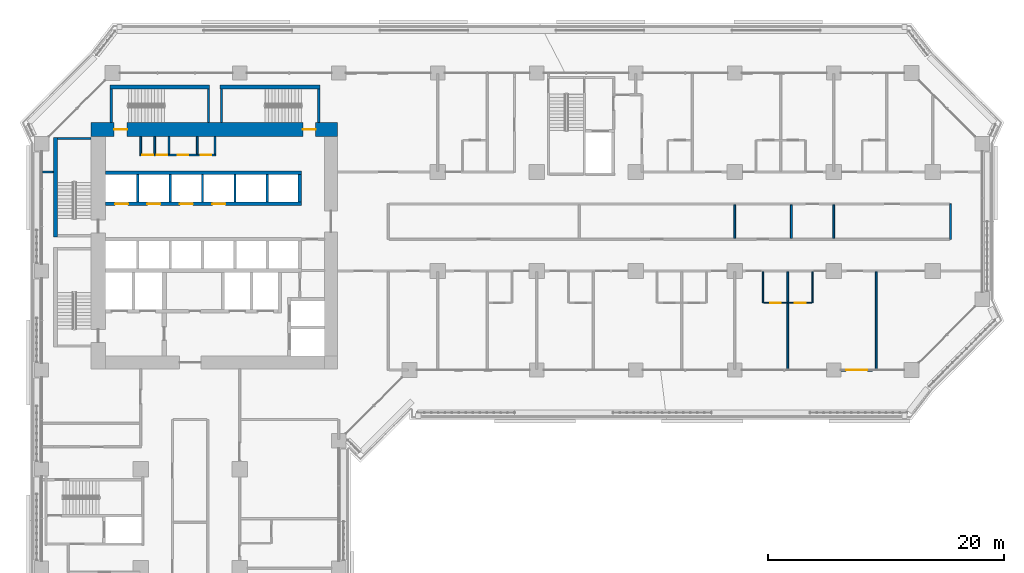
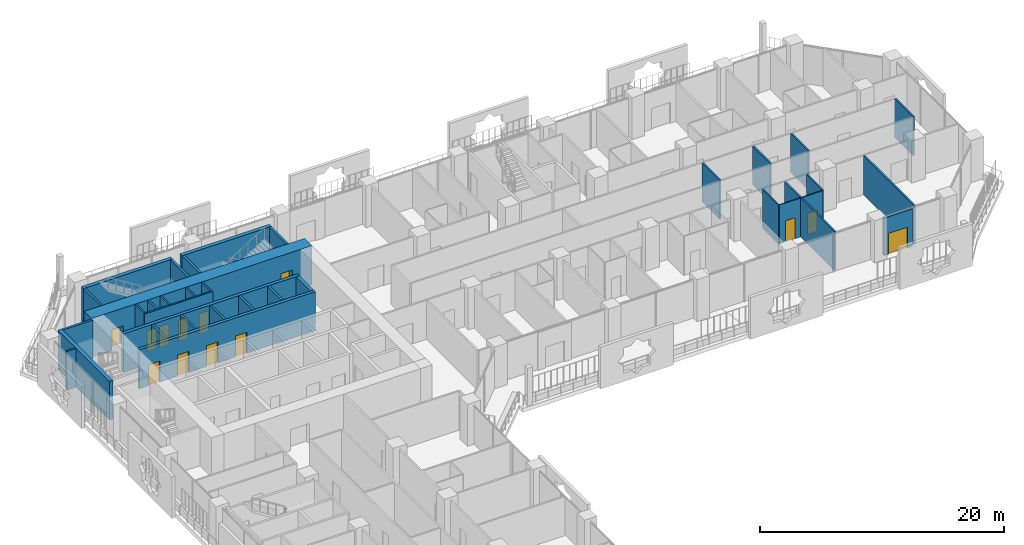
# One storey, part 17 of 28: 34 walls, 13 doors, 13 openings.
"""IFC4 building model written with IfcOpenShell, lengths in metres."""

from ifc_helpers import new_model, si_unit, direction, frame, frame_2d, origin, place, context, subcontext, project, spatial, rectangle, extrude, material, layer, layer_set, type_object, element, fill, save


model = new_model("IFC4")

# Units and contexts
model_context = context("Model", 3, precision=1e-05, world=origin(), true_north=direction((0.0, 1.0)))
body_context = subcontext(model_context, "Body", "Model", "MODEL_VIEW")
ifc_project = project(units=[si_unit("LENGTHUNIT", "METRE"), si_unit("AREAUNIT", "SQUARE_METRE"), si_unit("VOLUMEUNIT", "CUBIC_METRE"), si_unit("PLANEANGLEUNIT", "RADIAN"), si_unit("MASSUNIT", "GRAM", prefix="KILO")], contexts=[model_context])

# Site, building, storey
site_placement = place(None, origin())
site = spatial("IfcSite", under=ifc_project, at=site_placement, CompositionType="ELEMENT")
building_placement = place(site_placement, origin())
building = spatial("IfcBuilding", under=site, at=building_placement, Name="Kawkab Arch Medical Tower", CompositionType="ELEMENT")
storey_placement = place(building_placement, frame((0.0, 0.0, 56.0)))
storey = spatial("IfcBuildingStorey", under=building, at=storey_placement, Name="L12", CompositionType="ELEMENT", Elevation=56.0)

# Wall, openings, doors
ifc_material_1 = material(Name="Concrete C60/75", Category="concrete")
ifc_layer_1 = layer(ifc_material_1, 1.199951171875)
ifc_layer_set_1 = layer_set([ifc_layer_1], Name="Concrete C60/75")
wall_type_1 = type_object("IfcWallType", Name="Core ring wall 1200 C60/75", PredefinedType="SHEAR", material=ifc_layer_set_1)
wall_1_placement = place(storey_placement, frame((4.199951171875, -4.800048828125, 0.0), z_axis=(0.0, 0.0, 1.0), x_axis=(1.0, 0.0, 0.0)))
wall_1 = element("IfcWall", 1, at=wall_1_placement, inside=storey, type_object=wall_type_1, Name="L12 core wall", PredefinedType="SHEAR", context=body_context, shape_type="SweptSolid", body=[
    extrude(rectangle(XDim=20.900146484375, YDim=1.199951171875, at=frame_2d((10.4501953125, 0.0))), origin(), (0.0, 0.0, 1.0), 3.89990234375),
])
opening_1_placement = place(wall_1_placement, frame((1.949951171875, 0.0, 0.0)))
opening_1 = element("IfcOpeningElement", 2, at=opening_1_placement, cuts=wall_1, Name="Opening SD", PredefinedType="OPENING", context=body_context, shape_type="SweptSolid", body=[
    extrude(rectangle(XDim=1.10009765625, YDim=2.10009765625, at=frame_2d((0.550048828125, 1.050048828125))), frame((0.0, 0.60986328125, 0.0), z_axis=(0.0, -1.0, 0.0), x_axis=(1.0, 0.0, 0.0)), (0.0, 0.0, 1.0), 1.219970703125),
])
opening_2_placement = place(wall_1_placement, frame((17.949951171875, 0.0, 0.0)))
opening_2 = element("IfcOpeningElement", 3, at=opening_2_placement, cuts=wall_1, Name="Opening SD", PredefinedType="OPENING", context=body_context, shape_type="SweptSolid", body=[
    extrude(rectangle(XDim=1.10009765625, YDim=2.10009765625, at=frame_2d((0.550048828125, 1.050048828125))), frame((0.0, 0.60986328125, 0.0), z_axis=(0.0, -1.0, 0.0), x_axis=(1.0, 0.0, 0.0)), (0.0, 0.0, 1.0), 1.219970703125),
])
ifc_material_2 = material(Name="Hollow metal fire door leaf")
door_type_1 = type_object("IfcDoorType", Name="Exit stair door 1100", OperationType="SINGLE_SWING_LEFT", PredefinedType="DOOR", material=ifc_material_2)
door_1_placement = place(opening_1_placement, origin())
door_1 = element("IfcDoor", 4, at=door_1_placement, inside=storey, type_object=door_type_1, Name="L12 Exit stair ST3 door", OperationType="SINGLE_SWING_LEFT", OverallHeight=2.10009765625, OverallWidth=1.10009765625, PredefinedType="DOOR", context=body_context, shape_type="SweptSolid", body=[
    extrude(rectangle(XDim=1.10009765625, YDim=2.10009765625, at=frame_2d((0.550048828125, 1.050048828125))), frame((0.0, 0.02490234375, 0.0), z_axis=(0.0, -1.0, 0.0), x_axis=(1.0, 0.0, 0.0)), (0.0, 0.0, 1.0), 0.050048828125),
])
fill(opening_1, door_1)
door_2_placement = place(opening_2_placement, origin())
door_2 = element("IfcDoor", 5, at=door_2_placement, inside=storey, type_object=door_type_1, Name="L12 Exit stair ST4 door", OperationType="SINGLE_SWING_LEFT", OverallHeight=2.10009765625, OverallWidth=1.10009765625, PredefinedType="DOOR", context=body_context, shape_type="SweptSolid", body=[
    extrude(rectangle(XDim=1.10009765625, YDim=2.10009765625, at=frame_2d((0.550048828125, 1.050048828125))), frame((0.0, 0.02490234375, 0.0), z_axis=(0.0, -1.0, 0.0), x_axis=(1.0, 0.0, 0.0)), (0.0, 0.0, 1.0), 0.050048828125),
])
fill(opening_2, door_2)

ifc_material_3 = material(Name="Gypsum board on steel studs", Category="steel")
ifc_layer_2 = layer(ifc_material_3, 0.14990234375)
ifc_layer_set_2 = layer_set([ifc_layer_2], Name="Gypsum board on steel studs")
wall_type_2 = type_object("IfcWallType", Name="Core room partition 150", PredefinedType="PARTITIONING", material=ifc_layer_set_2)
wall_2_placement = place(storey_placement, frame((8.324951171875, -6.949951171875, 0.0), z_axis=(0.0, 0.0, 1.0), x_axis=(1.0, 0.0, 0.0)))
wall_2 = element("IfcWall", 6, at=wall_2_placement, inside=storey, type_object=wall_type_2, Name="L12 core room partition", PredefinedType="PARTITIONING", context=body_context, shape_type="SweptSolid", body=[
    extrude(rectangle(XDim=6.449951171875, YDim=0.14990234375, at=frame_2d((3.22509765625, 0.0))), origin(), (0.0, 0.0, 1.0), 3.89990234375),
])
opening_3_placement = place(wall_2_placement, frame((0.22509765625, 0.0, 0.0)))
opening_3 = element("IfcOpeningElement", 7, at=opening_3_placement, cuts=wall_2, Name="Opening RD", PredefinedType="OPENING", context=body_context, shape_type="SweptSolid", body=[
    extrude(rectangle(XDim=0.89990234375, YDim=2.10009765625, at=frame_2d((0.449951171875, 1.050048828125))), frame((0.0, 0.0849609375, 0.0), z_axis=(0.0, -1.0, 0.0), x_axis=(1.0, 0.0, 0.0)), (0.0, 0.0, 1.0), 0.169921875),
])
opening_4_placement = place(wall_2_placement, frame((1.425048828125, 0.0, 0.0)))
opening_4 = element("IfcOpeningElement", 8, at=opening_4_placement, cuts=wall_2, Name="Opening RD", PredefinedType="OPENING", context=body_context, shape_type="SweptSolid", body=[
    extrude(rectangle(XDim=0.89990234375, YDim=2.10009765625, at=frame_2d((0.449951171875, 1.050048828125))), frame((0.0, 0.0849609375, 0.0), z_axis=(0.0, -1.0, 0.0), x_axis=(1.0, 0.0, 0.0)), (0.0, 0.0, 1.0), 0.169921875),
])
opening_5_placement = place(wall_2_placement, frame((3.22509765625, 0.0, 0.0)))
opening_5 = element("IfcOpeningElement", 9, at=opening_5_placement, cuts=wall_2, Name="Opening RD", PredefinedType="OPENING", context=body_context, shape_type="SweptSolid", body=[
    extrude(rectangle(XDim=0.89990234375, YDim=2.10009765625, at=frame_2d((0.449951171875, 1.050048828125))), frame((0.0, 0.0849609375, 0.0), z_axis=(0.0, -1.0, 0.0), x_axis=(1.0, 0.0, 0.0)), (0.0, 0.0, 1.0), 0.169921875),
])
opening_6_placement = place(wall_2_placement, frame((5.175048828125, 0.0, 0.0)))
opening_6 = element("IfcOpeningElement", 10, at=opening_6_placement, cuts=wall_2, Name="Opening RD", PredefinedType="OPENING", context=body_context, shape_type="SweptSolid", body=[
    extrude(rectangle(XDim=0.89990234375, YDim=2.10009765625, at=frame_2d((0.449951171875, 1.050048828125))), frame((0.0, 0.0849609375, 0.0), z_axis=(0.0, -1.0, 0.0), x_axis=(1.0, 0.0, 0.0)), (0.0, 0.0, 1.0), 0.169921875),
])
ifc_material_4 = material(Name="Hollow metal fire door leaf")
door_type_2 = type_object("IfcDoorType", Name="Core room door 900", OperationType="SINGLE_SWING_LEFT", PredefinedType="DOOR", material=ifc_material_4)
door_3_placement = place(opening_3_placement, origin())
door_3 = element("IfcDoor", 11, at=door_3_placement, inside=storey, type_object=door_type_2, Name="L12 Electrical riser room door", OperationType="SINGLE_SWING_LEFT", OverallHeight=2.10009765625, OverallWidth=0.89990234375, PredefinedType="DOOR", context=body_context, shape_type="SweptSolid", body=[
    extrude(rectangle(XDim=0.89990234375, YDim=2.10009765625, at=frame_2d((0.449951171875, 1.050048828125))), frame((0.0, 0.02490234375, 0.0), z_axis=(0.0, -1.0, 0.0), x_axis=(1.0, 0.0, 0.0)), (0.0, 0.0, 1.0), 0.050048828125),
])
fill(opening_3, door_3)
door_4_placement = place(opening_4_placement, origin())
door_4 = element("IfcDoor", 12, at=door_4_placement, inside=storey, type_object=door_type_2, Name="L12 Medication store door", OperationType="SINGLE_SWING_LEFT", OverallHeight=2.10009765625, OverallWidth=0.89990234375, PredefinedType="DOOR", context=body_context, shape_type="SweptSolid", body=[
    extrude(rectangle(XDim=0.89990234375, YDim=2.10009765625, at=frame_2d((0.449951171875, 1.050048828125))), frame((0.0, 0.02490234375, 0.0), z_axis=(0.0, -1.0, 0.0), x_axis=(1.0, 0.0, 0.0)), (0.0, 0.0, 1.0), 0.050048828125),
])
fill(opening_4, door_4)
door_5_placement = place(opening_5_placement, origin())
door_5 = element("IfcDoor", 13, at=door_5_placement, inside=storey, type_object=door_type_2, Name="L12 Clean utility room door", OperationType="SINGLE_SWING_LEFT", OverallHeight=2.10009765625, OverallWidth=0.89990234375, PredefinedType="DOOR", context=body_context, shape_type="SweptSolid", body=[
    extrude(rectangle(XDim=0.89990234375, YDim=2.10009765625, at=frame_2d((0.449951171875, 1.050048828125))), frame((0.0, 0.02490234375, 0.0), z_axis=(0.0, -1.0, 0.0), x_axis=(1.0, 0.0, 0.0)), (0.0, 0.0, 1.0), 0.050048828125),
])
fill(opening_5, door_5)
door_6_placement = place(opening_6_placement, origin())
door_6 = element("IfcDoor", 14, at=door_6_placement, inside=storey, type_object=door_type_2, Name="L12 Dirty utility room door", OperationType="SINGLE_SWING_LEFT", OverallHeight=2.10009765625, OverallWidth=0.89990234375, PredefinedType="DOOR", context=body_context, shape_type="SweptSolid", body=[
    extrude(rectangle(XDim=0.89990234375, YDim=2.10009765625, at=frame_2d((0.449951171875, 1.050048828125))), frame((0.0, 0.02490234375, 0.0), z_axis=(0.0, -1.0, 0.0), x_axis=(1.0, 0.0, 0.0)), (0.0, 0.0, 1.0), 0.050048828125),
])
fill(opening_6, door_6)

# Walls
for number, where, z_axis, x_axis, name in (
    (15, (8.39990234375, -6.875, 0.0), (0.0, 0.0, 1.0), (0.0, 1.0, 0.0), "L12 core room partition"),
    (16, (9.60009765625, -6.875, 0.0), (0.0, 0.0, 1.0), (0.0, 1.0, 0.0), "L12 core room partition"),
    (17, (10.800048828125, -6.875, 0.0), (0.0, 0.0, 1.0), (0.0, 1.0, 0.0), "L12 core room partition"),
    (18, (13.199951171875, -6.875, 0.0), (0.0, 0.0, 1.0), (0.0, 1.0, 0.0), "L12 core room partition"),
    (19, (14.699951171875, -6.875, 0.0), (0.0, 0.0, 1.0), (0.0, 1.0, 0.0), "L12 core room partition"),
):
    element("IfcWall", number, at=place(storey_placement, frame(where, z_axis=z_axis, x_axis=x_axis)), inside=storey, type_object=wall_type_2, Name=name, PredefinedType="PARTITIONING", context=body_context, shape_type="SweptSolid", body=[
        extrude(rectangle(XDim=1.47509765625, YDim=0.14990234375, at=frame_2d((0.737548828125, 0.0))), origin(), (0.0, 0.0, 1.0), 3.89990234375),
    ])
ifc_material_5 = material(Name="Concrete C60/75", Category="concrete")
ifc_layer_3 = layer(ifc_material_5, 0.300048828125)
ifc_layer_set_3 = layer_set([ifc_layer_3], Name="Concrete C60/75")
wall_type_3 = type_object("IfcWallType", Name="Core shear wall 300 C60/75", PredefinedType="SHEAR", material=ifc_layer_set_3)
wall_3_placement = place(storey_placement, frame((5.39990234375, -8.449951171875, 0.0), z_axis=(0.0, 0.0, 1.0), x_axis=(1.0, 0.0, 0.0)))
element("IfcWall", 20, at=wall_3_placement, inside=storey, type_object=wall_type_3, Name="L12 core shear wall", PredefinedType="SHEAR", context=body_context, shape_type="SweptSolid", body=[
    extrude(rectangle(XDim=16.650146484375, YDim=0.300048828125, at=frame_2d((8.3251953125, 0.0))), origin(), (0.0, 0.0, 1.0), 3.89990234375),
])

# Wall, openings, doors
wall_4_placement = place(storey_placement, frame((5.39990234375, -11.10009765625, 0.0), z_axis=(0.0, 0.0, 1.0), x_axis=(1.0, 0.0, 0.0)))
wall_4 = element("IfcWall", 21, at=wall_4_placement, inside=storey, type_object=wall_type_3, Name="L12 core shear wall", PredefinedType="SHEAR", context=body_context, shape_type="SweptSolid", body=[
    extrude(rectangle(XDim=16.650146484375, YDim=0.300048828125, at=frame_2d((8.3251953125, 0.0))), origin(), (0.0, 0.0, 1.0), 3.89990234375),
])
opening_7_placement = place(wall_4_placement, frame((0.824951171875, 0.0, 0.0)))
opening_7 = element("IfcOpeningElement", 22, at=opening_7_placement, cuts=wall_4, Name="Opening LD1", PredefinedType="OPENING", context=body_context, shape_type="SweptSolid", body=[
    extrude(rectangle(XDim=1.10009765625, YDim=2.10009765625, at=frame_2d((0.550048828125, 1.050048828125))), frame((0.0, 0.159912109375, 0.0), z_axis=(0.0, -1.0, 0.0), x_axis=(1.0, 0.0, 0.0)), (0.0, 0.0, 1.0), 0.320068359375),
])
opening_8_placement = place(wall_4_placement, frame((3.574951171875, 0.0, 0.0)))
opening_8 = element("IfcOpeningElement", 23, at=opening_8_placement, cuts=wall_4, Name="Opening LD1", PredefinedType="OPENING", context=body_context, shape_type="SweptSolid", body=[
    extrude(rectangle(XDim=1.10009765625, YDim=2.10009765625, at=frame_2d((0.550048828125, 1.050048828125))), frame((0.0, 0.159912109375, 0.0), z_axis=(0.0, -1.0, 0.0), x_axis=(1.0, 0.0, 0.0)), (0.0, 0.0, 1.0), 0.320068359375),
])
opening_9_placement = place(wall_4_placement, frame((6.324951171875, 0.0, 0.0)))
opening_9 = element("IfcOpeningElement", 24, at=opening_9_placement, cuts=wall_4, Name="Opening LD1", PredefinedType="OPENING", context=body_context, shape_type="SweptSolid", body=[
    extrude(rectangle(XDim=1.10009765625, YDim=2.10009765625, at=frame_2d((0.550048828125, 1.050048828125))), frame((0.0, 0.159912109375, 0.0), z_axis=(0.0, -1.0, 0.0), x_axis=(1.0, 0.0, 0.0)), (0.0, 0.0, 1.0), 0.320068359375),
])
opening_10_placement = place(wall_4_placement, frame((9.074951171875, 0.0, 0.0)))
opening_10 = element("IfcOpeningElement", 25, at=opening_10_placement, cuts=wall_4, Name="Opening LD1", PredefinedType="OPENING", context=body_context, shape_type="SweptSolid", body=[
    extrude(rectangle(XDim=1.10009765625, YDim=2.10009765625, at=frame_2d((0.550048828125, 1.050048828125))), frame((0.0, 0.159912109375, 0.0), z_axis=(0.0, -1.0, 0.0), x_axis=(1.0, 0.0, 0.0)), (0.0, 0.0, 1.0), 0.320068359375),
])
ifc_material_6 = material(Name="Stainless steel lift door leaf", Category="steel")
door_type_3 = type_object("IfcDoorType", Name="Lift landing door 1100", OperationType="DOUBLE_DOOR_SLIDING", PredefinedType="DOOR", material=ifc_material_6)
door_7_placement = place(opening_7_placement, origin())
door_7 = element("IfcDoor", 26, at=door_7_placement, inside=storey, type_object=door_type_3, Name="L12 Lift landing door LP1", OperationType="DOUBLE_DOOR_SLIDING", OverallHeight=2.10009765625, OverallWidth=1.10009765625, PredefinedType="DOOR", context=body_context, shape_type="SweptSolid", body=[
    extrude(rectangle(XDim=1.10009765625, YDim=2.10009765625, at=frame_2d((0.550048828125, 1.050048828125))), frame((0.0, 0.02490234375, 0.0), z_axis=(0.0, -1.0, 0.0), x_axis=(1.0, 0.0, 0.0)), (0.0, 0.0, 1.0), 0.050048828125),
])
fill(opening_7, door_7)
door_8_placement = place(opening_8_placement, origin())
door_8 = element("IfcDoor", 27, at=door_8_placement, inside=storey, type_object=door_type_3, Name="L12 Lift landing door LP2", OperationType="DOUBLE_DOOR_SLIDING", OverallHeight=2.10009765625, OverallWidth=1.10009765625, PredefinedType="DOOR", context=body_context, shape_type="SweptSolid", body=[
    extrude(rectangle(XDim=1.10009765625, YDim=2.10009765625, at=frame_2d((0.550048828125, 1.050048828125))), frame((0.0, 0.02490234375, 0.0), z_axis=(0.0, -1.0, 0.0), x_axis=(1.0, 0.0, 0.0)), (0.0, 0.0, 1.0), 0.050048828125),
])
fill(opening_8, door_8)
door_9_placement = place(opening_9_placement, origin())
door_9 = element("IfcDoor", 28, at=door_9_placement, inside=storey, type_object=door_type_3, Name="L12 Lift landing door LP3", OperationType="DOUBLE_DOOR_SLIDING", OverallHeight=2.10009765625, OverallWidth=1.10009765625, PredefinedType="DOOR", context=body_context, shape_type="SweptSolid", body=[
    extrude(rectangle(XDim=1.10009765625, YDim=2.10009765625, at=frame_2d((0.550048828125, 1.050048828125))), frame((0.0, 0.02490234375, 0.0), z_axis=(0.0, -1.0, 0.0), x_axis=(1.0, 0.0, 0.0)), (0.0, 0.0, 1.0), 0.050048828125),
])
fill(opening_9, door_9)
door_10_placement = place(opening_10_placement, origin())
door_10 = element("IfcDoor", 29, at=door_10_placement, inside=storey, type_object=door_type_3, Name="L12 Lift landing door LP4", OperationType="DOUBLE_DOOR_SLIDING", OverallHeight=2.10009765625, OverallWidth=1.10009765625, PredefinedType="DOOR", context=body_context, shape_type="SweptSolid", body=[
    extrude(rectangle(XDim=1.10009765625, YDim=2.10009765625, at=frame_2d((0.550048828125, 1.050048828125))), frame((0.0, 0.02490234375, 0.0), z_axis=(0.0, -1.0, 0.0), x_axis=(1.0, 0.0, 0.0)), (0.0, 0.0, 1.0), 0.050048828125),
])
fill(opening_10, door_10)

# Wall
wall_5_placement = place(storey_placement, frame((21.89990234375, -10.949951171875, 0.0), z_axis=(0.0, 0.0, 1.0), x_axis=(0.0, 1.0, 0.0)))
element("IfcWall", 30, at=wall_5_placement, inside=storey, type_object=wall_type_3, Name="L12 core shear wall", PredefinedType="SHEAR", context=body_context, shape_type="SweptSolid", body=[
    extrude(rectangle(XDim=2.349853515625, YDim=0.300048828125, at=frame_2d((1.1748046875, 0.0))), origin(), (0.0, 0.0, 1.0), 3.89990234375),
])

# Wall, opening, door
ifc_material_7 = material(Name="Bronze clad insulated wall panel")
ifc_layer_4 = layer(ifc_material_7, 0.25)
ifc_layer_set_4 = layer_set([ifc_layer_4], Name="Bronze clad insulated wall panel")
wall_type_4 = type_object("IfcWallType", Name="External wall bay 250", PredefinedType="SOLIDWALL", material=ifc_layer_set_4)
wall_6_placement = place(storey_placement, frame((67.800048828125, -25.199951171875, 0.0), z_axis=(0.0, 0.0, 1.0), x_axis=(1.0, 0.0, 0.0)))
wall_6 = element("IfcWall", 31, at=wall_6_placement, inside=storey, type_object=wall_type_4, Name="External wall bay L12.R07.5.1", PredefinedType="SOLIDWALL", context=body_context, shape_type="SweptSolid", body=[
    extrude(rectangle(XDim=2.6875, YDim=0.25, at=frame_2d((1.34375, 0.0))), origin(), (0.0, 0.0, 1.0), 3.780029296875),
])
opening_11_placement = place(wall_6_placement, frame((0.443603515625, 0.0, 0.0)))
opening_11 = element("IfcOpeningElement", 32, at=opening_11_placement, cuts=wall_6, Name="Opening W12-702", PredefinedType="OPENING", context=body_context, shape_type="SweptSolid", body=[
    extrude(rectangle(XDim=1.800048828125, YDim=2.10009765625, at=frame_2d((0.89990234375, 1.050048828125))), frame((0.0, 0.135009765625, 0.0), z_axis=(0.0, -1.0, 0.0), x_axis=(1.0, 0.0, 0.0)), (0.0, 0.0, 1.0), 0.27001953125),
])
ifc_material_8 = material(Name="Bronze anodised aluminium door with tinted glass", Category="aluminium")
door_type_4 = type_object("IfcDoorType", Name="Double external door 1800 x 2100", OperationType="DOUBLE_DOOR_SINGLE_SWING", PredefinedType="DOOR", material=ifc_material_8)
door_11_placement = place(opening_11_placement, origin())
door_11 = element("IfcDoor", 33, at=door_11_placement, inside=storey, type_object=door_type_4, Name="External door L12.R07.5.1", OperationType="DOUBLE_DOOR_SINGLE_SWING", OverallHeight=2.10009765625, OverallWidth=1.800048828125, PredefinedType="DOOR", context=body_context, shape_type="SweptSolid", body=[
    extrude(rectangle(XDim=1.800048828125, YDim=2.10009765625, at=frame_2d((0.89990234375, 1.050048828125))), frame((0.0, 0.02490234375, 0.0), z_axis=(0.0, -1.0, 0.0), x_axis=(1.0, 0.0, 0.0)), (0.0, 0.0, 1.0), 0.050048828125),
])
fill(opening_11, door_11)

# Walls
ifc_material_9 = material(Name="Dense concrete blockwork", Category="masonry")
ifc_layer_5 = layer(ifc_material_9, 0.199951171875)
ifc_layer_set_5 = layer_set([ifc_layer_5], Name="Dense concrete blockwork")
wall_type_5 = type_object("IfcWallType", Name="Lift shaft partition 200", PredefinedType="PARTITIONING", material=ifc_layer_set_5)
for number, where, z_axis, x_axis, name in (
    (34, (8.14990234375, -10.949951171875, 0.0), (0.0, 0.0, 1.0), (0.0, 1.0, 0.0), "L12 lift shaft partition"),
    (35, (10.89990234375, -10.949951171875, 0.0), (0.0, 0.0, 1.0), (0.0, 1.0, 0.0), "L12 lift shaft partition"),
    (36, (13.64990234375, -10.949951171875, 0.0), (0.0, 0.0, 1.0), (0.0, 1.0, 0.0), "L12 lift shaft partition"),
    (37, (16.39990234375, -10.949951171875, 0.0), (0.0, 0.0, 1.0), (0.0, 1.0, 0.0), "L12 lift shaft partition"),
    (38, (19.14990234375, -10.949951171875, 0.0), (0.0, 0.0, 1.0), (0.0, 1.0, 0.0), "L12 lift shaft partition"),
):
    element("IfcWall", number, at=place(storey_placement, frame(where, z_axis=z_axis, x_axis=x_axis)), inside=storey, type_object=wall_type_5, Name=name, PredefinedType="PARTITIONING", context=body_context, shape_type="SweptSolid", body=[
        extrude(rectangle(XDim=2.349853515625, YDim=0.199951171875, at=frame_2d((1.1748046875, 0.0))), origin(), (0.0, 0.0, 1.0), 3.89990234375),
    ])

# Wall, openings, doors
ifc_material_10 = material(Name="Gypsum board partition on steel studs", Category="steel")
ifc_layer_6 = layer(ifc_material_10, 0.10009765625)
ifc_layer_set_6 = layer_set([ifc_layer_6], Name="Gypsum board partition on steel studs")
wall_type_6 = type_object("IfcWallType", Name="Partition 100", PredefinedType="PARTITIONING", material=ifc_layer_set_6)
wall_7_placement = place(storey_placement, frame((61.25, -19.5, 0.0), z_axis=(0.0, 0.0, 1.0), x_axis=(1.0, 0.0, 0.0)))
wall_7 = element("IfcWall", 39, at=wall_7_placement, inside=storey, type_object=wall_type_6, Name="Partition 100 w014", PredefinedType="PARTITIONING", context=body_context, shape_type="SweptSolid", body=[
    extrude(rectangle(XDim=4.097900390625, YDim=0.10009765625, at=frame_2d((2.048828125, 0.0))), origin(), (0.0, 0.0, 1.0), 3.89990234375),
])
opening_12_placement = place(wall_7_placement, frame((0.550048828125, 0.0, 0.0)))
opening_12 = element("IfcOpeningElement", 40, at=opening_12_placement, cuts=wall_7, Name="Opening W12-015", PredefinedType="OPENING", context=body_context, shape_type="SweptSolid", body=[
    extrude(rectangle(XDim=0.89990234375, YDim=2.10009765625, at=frame_2d((0.449951171875, 1.050048828125))), frame((0.0, 0.06005859375, 0.0), z_axis=(0.0, -1.0, 0.0), x_axis=(1.0, 0.0, 0.0)), (0.0, 0.0, 1.0), 0.1201171875),
])
opening_13_placement = place(wall_7_placement, frame((2.64892578125, 0.0, 0.0)))
opening_13 = element("IfcOpeningElement", 41, at=opening_13_placement, cuts=wall_7, Name="Opening W12-016", PredefinedType="OPENING", context=body_context, shape_type="SweptSolid", body=[
    extrude(rectangle(XDim=0.89990234375, YDim=2.10009765625, at=frame_2d((0.449951171875, 1.050048828125))), frame((0.0, 0.06005859375, 0.0), z_axis=(0.0, -1.0, 0.0), x_axis=(1.0, 0.0, 0.0)), (0.0, 0.0, 1.0), 0.1201171875),
])
ifc_material_11 = material(Name="Timber door leaf", Category="wood")
door_type_5 = type_object("IfcDoorType", Name="Single door 900x2100", OperationType="NOTDEFINED", PredefinedType="DOOR", material=ifc_material_11)
door_12_placement = place(opening_12_placement, origin())
door_12 = element("IfcDoor", 42, at=door_12_placement, inside=storey, type_object=door_type_5, Name="Door W12-015", OperationType="SINGLE_SWING_RIGHT", OverallHeight=2.10009765625, OverallWidth=0.89990234375, PredefinedType="DOOR", context=body_context, shape_type="SweptSolid", body=[
    extrude(rectangle(XDim=0.89990234375, YDim=2.10009765625, at=frame_2d((0.449951171875, 1.050048828125))), frame((0.0, 0.02490234375, 0.0), z_axis=(0.0, -1.0, 0.0), x_axis=(1.0, 0.0, 0.0)), (0.0, 0.0, 1.0), 0.050048828125),
])
fill(opening_12, door_12)
door_13_placement = place(opening_13_placement, origin())
door_13 = element("IfcDoor", 43, at=door_13_placement, inside=storey, type_object=door_type_5, Name="Door W12-016", OperationType="SINGLE_SWING_LEFT", OverallHeight=2.10009765625, OverallWidth=0.89990234375, PredefinedType="DOOR", context=body_context, shape_type="SweptSolid", body=[
    extrude(rectangle(XDim=0.89990234375, YDim=2.10009765625, at=frame_2d((0.449951171875, 1.050048828125))), frame((0.0, 0.02490234375, 0.0), z_axis=(0.0, -1.0, 0.0), x_axis=(1.0, 0.0, 0.0)), (0.0, 0.0, 1.0), 0.050048828125),
])
fill(opening_13, door_13)

# Walls
wall_8_placement = place(storey_placement, frame((61.199951171875, -19.5, 0.0), z_axis=(0.0, 0.0, 1.0), x_axis=(0.0, 1.0, 0.0)))
element("IfcWall", 44, at=wall_8_placement, inside=storey, type_object=wall_type_6, Name="Partition 100 w034", PredefinedType="PARTITIONING", context=body_context, shape_type="SweptSolid", body=[
    extrude(rectangle(XDim=2.625, YDim=0.10009765625, at=frame_2d((1.3125, 0.0))), origin(), (0.0, 0.0, 1.0), 3.89990234375),
])
wall_9_placement = place(storey_placement, frame((65.39990234375, -19.4990234375, 0.0), z_axis=(0.0, 0.0, 1.0), x_axis=(0.0, 1.0, 0.0)))
element("IfcWall", 45, at=wall_9_placement, inside=storey, type_object=wall_type_6, Name="Partition 100 w036", PredefinedType="PARTITIONING", context=body_context, shape_type="SweptSolid", body=[
    extrude(rectangle(XDim=2.6240234375, YDim=0.10009765625, at=frame_2d((1.31201171875, 0.0))), origin(), (0.0, 0.0, 1.0), 3.89990234375),
])
ifc_material_12 = material(Name="Gypsum board partition on steel studs, mineral wool", Category="steel")
ifc_layer_7 = layer(ifc_material_12, 0.14990234375)
ifc_layer_set_7 = layer_set([ifc_layer_7], Name="Gypsum board partition on steel studs, mineral wool")
wall_type_7 = type_object("IfcWallType", Name="Partition 150", PredefinedType="PARTITIONING", material=ifc_layer_set_7)
wall_10_placement = place(storey_placement, frame((0.080078125, -8.39990234375, 0.0), z_axis=(0.0, 0.0, 1.0), x_axis=(1.0, 0.0, 0.0)))
element("IfcWall", 46, at=wall_10_placement, inside=storey, type_object=wall_type_7, Name="Partition 150 w065", PredefinedType="PARTITIONING", context=body_context, shape_type="SweptSolid", body=[
    extrude(rectangle(XDim=0.889892578125, YDim=0.14990234375, at=frame_2d((0.44482421875, 0.0))), origin(), (0.0, 0.0, 1.0), 3.89990234375),
])
wall_11_placement = place(storey_placement, frame((58.800048828125, -14.02490234375, 0.0), z_axis=(0.0, 0.0, 1.0), x_axis=(0.0, 1.0, 0.0)))
element("IfcWall", 47, at=wall_11_placement, inside=storey, type_object=wall_type_7, Name="Partition 150 w097", PredefinedType="PARTITIONING", context=body_context, shape_type="SweptSolid", body=[
    extrude(rectangle(XDim=2.849853515625, YDim=0.14990234375, at=frame_2d((1.4248046875, 0.0))), origin(), (0.0, 0.0, 1.0), 3.89990234375),
])
wall_12_placement = place(storey_placement, frame((63.300048828125, -25.1201171875, 0.0), z_axis=(0.0, 0.0, 1.0), x_axis=(0.0, 1.0, 0.0)))
element("IfcWall", 48, at=wall_12_placement, inside=storey, type_object=wall_type_7, Name="Partition 150 w099", PredefinedType="PARTITIONING", context=body_context, shape_type="SweptSolid", body=[
    extrude(rectangle(XDim=8.2451171875, YDim=0.14990234375, at=frame_2d((4.12255859375, 0.0))), origin(), (0.0, 0.0, 1.0), 3.89990234375),
])
for number, where, z_axis, x_axis, name in (
    (49, (63.60009765625, -14.02490234375, 0.0), (0.0, 0.0, 1.0), (0.0, 1.0, 0.0), "Partition 150 w100"),
    (50, (67.199951171875, -14.02490234375, 0.0), (0.0, 0.0, 1.0), (0.0, 1.0, 0.0), "Partition 150 w101"),
):
    element("IfcWall", number, at=place(storey_placement, frame(where, z_axis=z_axis, x_axis=x_axis)), inside=storey, type_object=wall_type_7, Name=name, PredefinedType="PARTITIONING", context=body_context, shape_type="SweptSolid", body=[
        extrude(rectangle(XDim=2.849853515625, YDim=0.14990234375, at=frame_2d((1.4248046875, 0.0))), origin(), (0.0, 0.0, 1.0), 3.89990234375),
    ])
wall_13_placement = place(storey_placement, frame((70.800048828125, -25.1201171875, 0.0), z_axis=(0.0, 0.0, 1.0), x_axis=(0.0, 1.0, 0.0)))
element("IfcWall", 51, at=wall_13_placement, inside=storey, type_object=wall_type_7, Name="Partition 150 w103", PredefinedType="PARTITIONING", context=body_context, shape_type="SweptSolid", body=[
    extrude(rectangle(XDim=8.2451171875, YDim=0.14990234375, at=frame_2d((4.12255859375, 0.0))), origin(), (0.0, 0.0, 1.0), 3.89990234375),
])
wall_14_placement = place(storey_placement, frame((77.10009765625, -14.10009765625, 0.0), z_axis=(0.0, 0.0, 1.0), x_axis=(0.0, 1.0, 0.0)))
element("IfcWall", 52, at=wall_14_placement, inside=storey, type_object=wall_type_7, Name="Partition 150 w106", PredefinedType="PARTITIONING", context=body_context, shape_type="SweptSolid", body=[
    extrude(rectangle(XDim=3.0, YDim=0.14990234375, at=frame_2d((1.5, 0.0))), origin(), (0.0, 0.0, 1.0), 3.89990234375),
])
ifc_material_13 = material(Name="Concrete C50/60", Category="concrete")
ifc_layer_8 = layer(ifc_material_13, 0.199951171875)
ifc_layer_set_8 = layer_set([ifc_layer_8], Name="Concrete C50/60")
wall_type_8 = type_object("IfcWallType", Name="Stair enclosure wall 200 C50/60", PredefinedType="SHEAR", material=ifc_layer_set_8)
for number, where, z_axis, x_axis, name in (
    (53, (1.35009765625, -5.550048828125, 0.0), (0.0, 0.0, 1.0), (1.0, 0.0, 0.0), "L12 stair enclosure wall"),
    (54, (5.89990234375, -4.199951171875, 0.0), (0.0, 0.0, 1.0), (0.0, 1.0, 0.0), "L12 stair enclosure wall"),
    (55, (14.14990234375, -4.199951171875, 0.0), (0.0, 0.0, 1.0), (0.0, 1.0, 0.0), "L12 stair enclosure wall"),
    (56, (15.25, -4.199951171875, 0.0), (0.0, 0.0, 1.0), (0.0, 1.0, 0.0), "L12 stair enclosure wall"),
    (57, (23.5, -4.199951171875, 0.0), (0.0, 0.0, 1.0), (0.0, 1.0, 0.0), "L12 stair enclosure wall"),
):
    element("IfcWall", number, at=place(storey_placement, frame(where, z_axis=z_axis, x_axis=x_axis)), inside=storey, type_object=wall_type_8, Name=name, PredefinedType="SHEAR", context=body_context, shape_type="SweptSolid", body=[
        extrude(rectangle(XDim=2.849853515625, YDim=0.199951171875, at=frame_2d((1.4248046875, 0.0))), origin(), (0.0, 0.0, 1.0), 3.89990234375),
    ])
ifc_material_14 = material(Name="Concrete C50/60", Category="concrete")
ifc_layer_9 = layer(ifc_material_14, 0.35009765625)
ifc_layer_set_9 = layer_set([ifc_layer_9], Name="Concrete C50/60")
wall_type_9 = type_object("IfcWallType", Name="Stair enclosure wall 350 C50/60", PredefinedType="SHEAR", material=ifc_layer_set_9)
for number, where, z_axis, x_axis, name in (
    (58, (1.175048828125, -13.89990234375, 0.0), (0.0, 0.0, 1.0), (0.0, 1.0, 0.0), "L12 stair enclosure wall"),
    (59, (5.800048828125, -1.175048828125, 0.0), (0.0, 0.0, 1.0), (1.0, 0.0, 0.0), "L12 stair enclosure wall"),
):
    element("IfcWall", number, at=place(storey_placement, frame(where, z_axis=z_axis, x_axis=x_axis)), inside=storey, type_object=wall_type_9, Name=name, PredefinedType="SHEAR", context=body_context, shape_type="SweptSolid", body=[
        extrude(rectangle(XDim=8.449951171875, YDim=0.35009765625, at=frame_2d((4.22509765625, 0.0))), origin(), (0.0, 0.0, 1.0), 3.89990234375),
    ])
wall_15_placement = place(storey_placement, frame((15.14990234375, -1.175048828125, 0.0), z_axis=(0.0, 0.0, 1.0), x_axis=(1.0, 0.0, 0.0)))
element("IfcWall", 60, at=wall_15_placement, inside=storey, type_object=wall_type_9, Name="L12 stair enclosure wall", PredefinedType="SHEAR", context=body_context, shape_type="SweptSolid", body=[
    extrude(rectangle(XDim=8.4501953125, YDim=0.35009765625, at=frame_2d((4.22509765625, 0.0))), origin(), (0.0, 0.0, 1.0), 3.89990234375),
])

save(model, "model.ifc")
